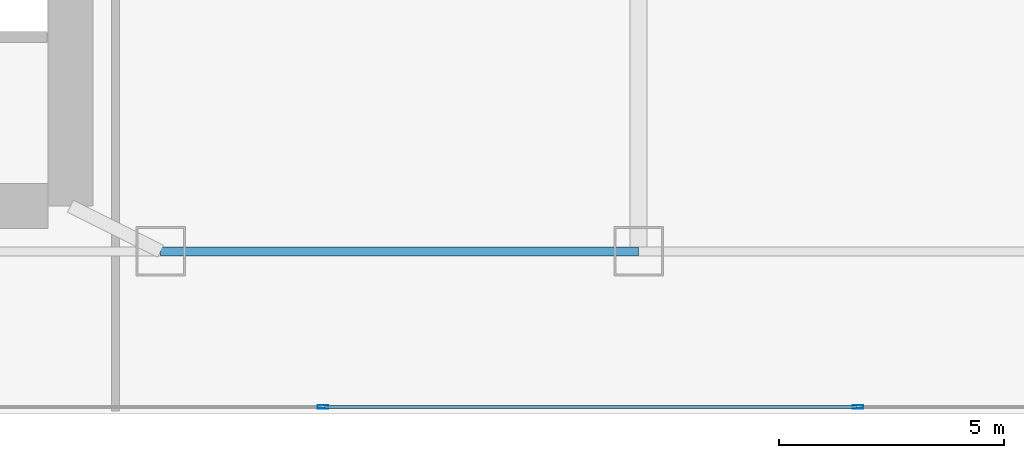
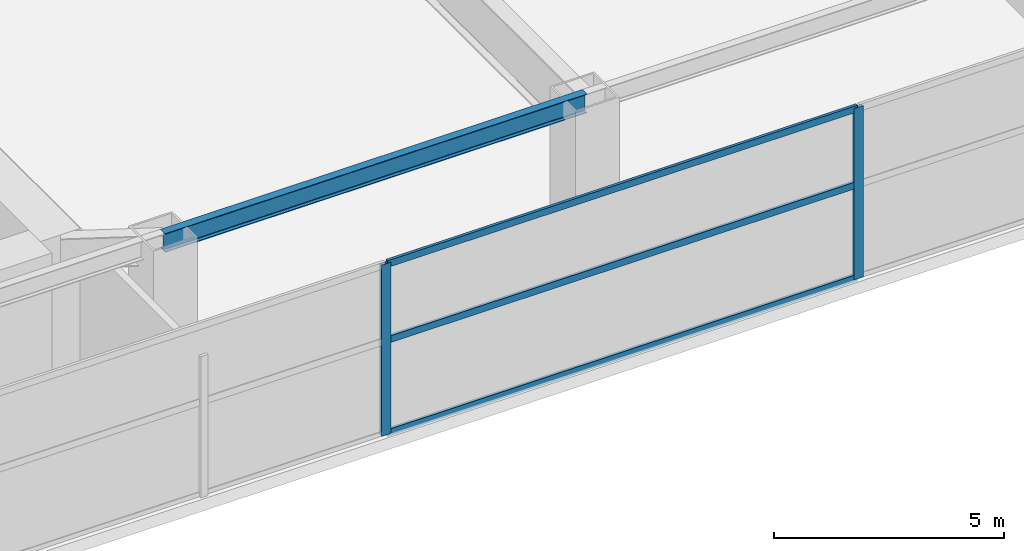
# One storey, part 11 of 30: 5 members, 1 beam, 1 element without a shape of its own.
"""IFC4 building model written with IfcOpenShell, lengths in metres."""

from ifc_helpers import new_model, si_unit, direction, frame, origin, origin_2d, place, context, subcontext, project, spatial, hollow_rectangle, i_section, extrude, material, layer, layer_set, material_profile, profile_set, type_object, element, aggregate, save


model = new_model("IFC4")

# Units and contexts
model_context = context("Model", 3, precision=1e-05, world=origin(), true_north=direction((0.0, 1.0)))
body_context = subcontext(model_context, "Body", "Model", "MODEL_VIEW")
ifc_project = project(units=[si_unit("LENGTHUNIT", "METRE"), si_unit("AREAUNIT", "SQUARE_METRE"), si_unit("VOLUMEUNIT", "CUBIC_METRE"), si_unit("PLANEANGLEUNIT", "RADIAN"), si_unit("MASSUNIT", "GRAM", prefix="KILO")], contexts=[model_context])

# Site, building, storey
site_placement = place(None, origin())
site = spatial("IfcSite", under=ifc_project, at=site_placement, CompositionType="ELEMENT")
building_placement = place(site_placement, origin())
building = spatial("IfcBuilding", under=site, at=building_placement, Name="Calvorn Quay Hotel", CompositionType="ELEMENT")
storey_placement = place(building_placement, frame((0.0, 0.0, 17.0)))
storey = spatial("IfcBuildingStorey", under=building, at=storey_placement, Name="L03", CompositionType="ELEMENT", Elevation=17.0)

# Beam
ifc_material_1 = material(Name="Steel Q355B", Category="steel")
ifc_material_profile_1 = material_profile(ifc_material_1, i_section(OverallWidth=0.199951171875, OverallDepth=0.5, WebThickness=0.010009765625, FlangeThickness=0.01611328125, FilletRadius=0.01611328125, at=origin_2d()), Name="HN500x200x10x16")
ifc_profile_set_1 = profile_set([ifc_material_profile_1], Name="Steel Q355B")
beam_type = type_object("IfcBeamType", Name="BM-SPANDREL-Z1", PredefinedType="SPANDREL", material=ifc_profile_set_1)
beam_placement = place(storey_placement, frame((34.39990234375, 3.60009765625, 4.300048828125), z_axis=(1.0, 0.0, 0.0), x_axis=(0.0, 1.0, 0.0)))
element("IfcBeam", 1, at=beam_placement, inside=storey, type_object=beam_type, Name="Beam BSP-L03-S4", PredefinedType="SPANDREL", context=body_context, shape_type="SweptSolid", body=[
    extrude(i_section(OverallWidth=0.199951171875, OverallDepth=0.5, WebThickness=0.010009765625, FlangeThickness=0.01611328125, FilletRadius=0.01611328125, at=origin_2d()), origin(), (0.0, 0.0, 1.0), 10.60009765625),
])

# Curtain wall, members
ifc_material_2 = material(Name="Pale Anodised Aluminium and Low-E Glass", Category="aluminium")
ifc_layer = layer(ifc_material_2, 0.219970703125)
ifc_layer_set = layer_set([ifc_layer], Name="CW-SYS-POD")
curtain_wall_type = type_object("IfcCurtainWallType", Name="CW-SYS-POD", PredefinedType="NOTDEFINED", material=ifc_layer_set)
curtain_wall_placement = place(storey_placement, origin())
curtain_wall = element("IfcCurtainWall", 2, at=curtain_wall_placement, inside=storey, type_object=curtain_wall_type, Name="Podium Curtain Wall L03-S1", PredefinedType="NOTDEFINED")
ifc_material_3 = material(Name="Pale Anodised Aluminium 6063-T6", Category="aluminium")
ifc_material_profile_2 = material_profile(ifc_material_3, hollow_rectangle(XDim=0.080078125, YDim=0.239990234375, WallThickness=0.0048828125, at=origin_2d()), Name="ALU-M240x80x5")
ifc_profile_set_2 = profile_set([ifc_material_profile_2], Name="Pale Anodised Aluminium 6063-T6")
member_type_1 = type_object("IfcMemberType", Name="CW-SYS-POD-MUL", PredefinedType="MULLION", material=ifc_profile_set_2)
member_1_placement = place(storey_placement, frame((38.0, 0.14990234375, 0.0), z_axis=(0.0, 0.0, 1.0), x_axis=(0.0, 1.0, 0.0)))
member_1 = element("IfcMember", 3, at=member_1_placement, type_object=member_type_1, Name="CW-L03-S1 mullion 4", PredefinedType="MULLION", context=body_context, shape_type="SweptSolid", body=[
    extrude(hollow_rectangle(XDim=0.080078125, YDim=0.239990234375, WallThickness=0.0048828125, at=origin_2d()), origin(), (0.0, 0.0, 1.0), 4.550048828125),
])
member_2_placement = place(storey_placement, frame((49.86669921875, 0.14990234375, 0.0), z_axis=(0.0, 0.0, 1.0), x_axis=(0.0, 1.0, 0.0)))
member_2 = element("IfcMember", 4, at=member_2_placement, type_object=member_type_1, Name="CW-L03-S1 mullion 5", PredefinedType="MULLION", context=body_context, shape_type="SweptSolid", body=[
    extrude(hollow_rectangle(XDim=0.080078125, YDim=0.239990234375, WallThickness=0.0048828125, at=origin_2d()), origin(), (0.0, 0.0, 1.0), 4.550048828125),
])
ifc_material_4 = material(Name="Pale Anodised Aluminium 6063-T6", Category="aluminium")
ifc_material_profile_3 = material_profile(ifc_material_4, hollow_rectangle(XDim=0.070068359375, YDim=0.179931640625, WallThickness=0.00390625, at=origin_2d()), Name="ALU-T180x70x4")
ifc_profile_set_3 = profile_set([ifc_material_profile_3], Name="Pale Anodised Aluminium 6063-T6")
member_type_2 = type_object("IfcMemberType", Name="CW-SYS-POD-TRN", PredefinedType="USERDEFINED", material=ifc_profile_set_3)
member_3_placement = place(storey_placement, frame((38.030029296875, 0.14990234375, 0.030029296875), z_axis=(1.0, 0.0, 0.0), x_axis=(0.0, 1.0, 0.0)))
member_3 = element("IfcMember", 5, at=member_3_placement, type_object=member_type_2, Name="CW-L03-S1 transom 4.1", ObjectType="TRANSOM", PredefinedType="USERDEFINED", context=body_context, shape_type="SweptSolid", body=[
    extrude(hollow_rectangle(XDim=0.070068359375, YDim=0.179931640625, WallThickness=0.00390625, at=origin_2d()), origin(), (0.0, 0.0, 1.0), 11.806640625),
])
member_4_placement = place(storey_placement, frame((38.030029296875, 0.14990234375, 2.5), z_axis=(1.0, 0.0, 0.0), x_axis=(0.0, 1.0, 0.0)))
member_4 = element("IfcMember", 6, at=member_4_placement, type_object=member_type_2, Name="CW-L03-S1 transom 4.2", ObjectType="TRANSOM", PredefinedType="USERDEFINED", context=body_context, shape_type="SweptSolid", body=[
    extrude(hollow_rectangle(XDim=0.070068359375, YDim=0.179931640625, WallThickness=0.00390625, at=origin_2d()), origin(), (0.0, 0.0, 1.0), 11.806640625),
])
member_5_placement = place(storey_placement, frame((38.030029296875, 0.14990234375, 4.52001953125), z_axis=(1.0, 0.0, 0.0), x_axis=(0.0, 1.0, 0.0)))
member_5 = element("IfcMember", 7, at=member_5_placement, type_object=member_type_2, Name="CW-L03-S1 transom 4.3", ObjectType="TRANSOM", PredefinedType="USERDEFINED", context=body_context, shape_type="SweptSolid", body=[
    extrude(hollow_rectangle(XDim=0.070068359375, YDim=0.179931640625, WallThickness=0.00390625, at=origin_2d()), origin(), (0.0, 0.0, 1.0), 11.806640625),
])
aggregate(curtain_wall, [member_1, member_2, member_3, member_4, member_5])

save(model, "model.ifc")
